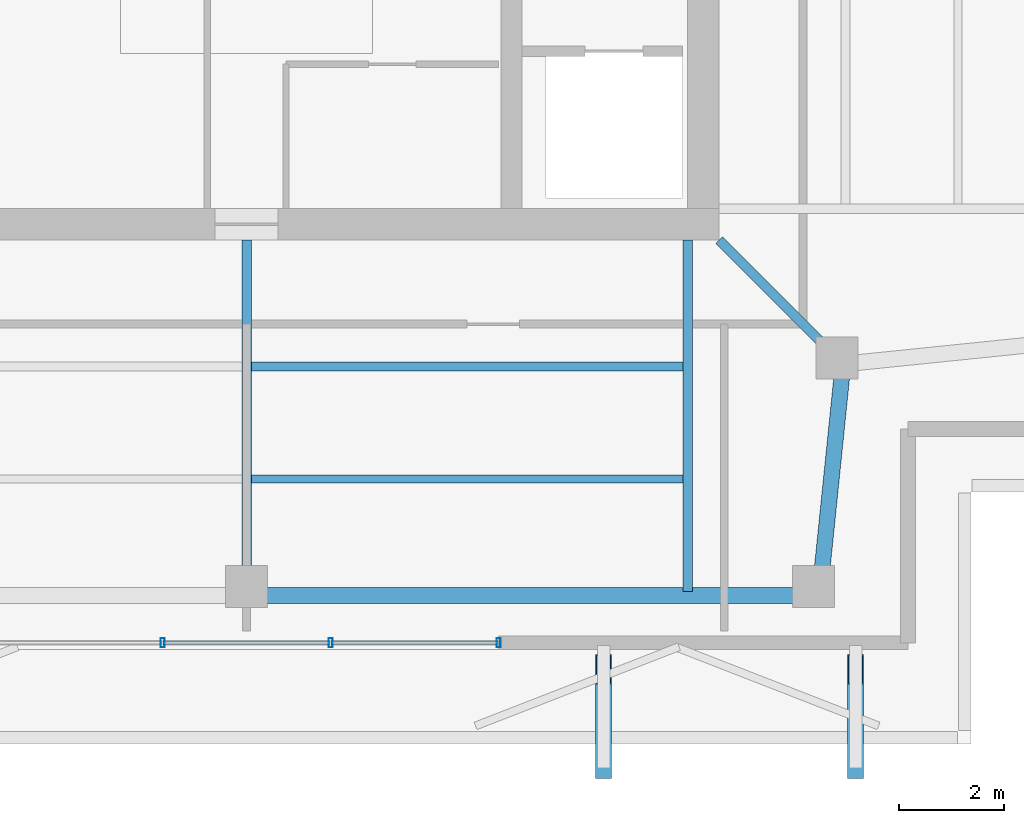
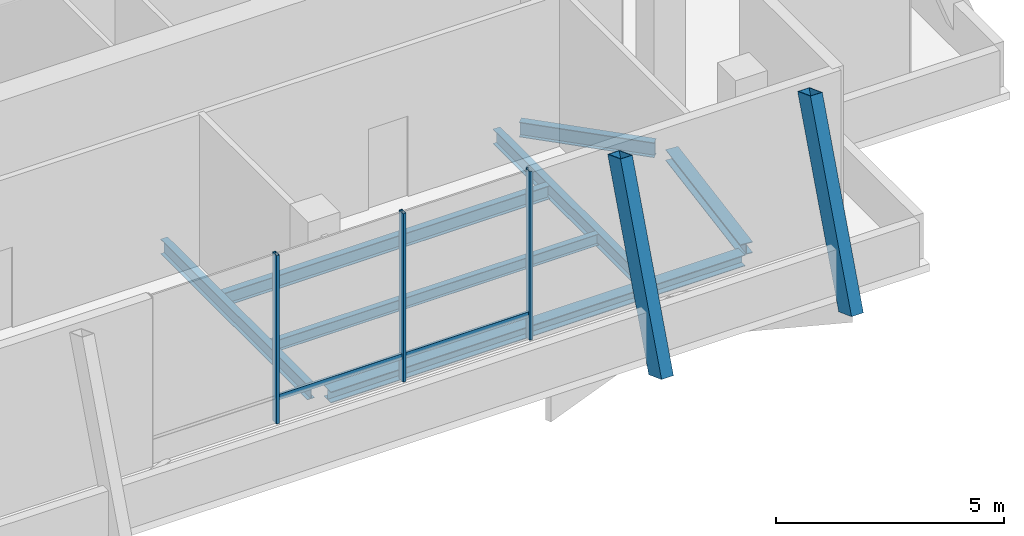
# One storey, part 4 of 15: 7 beams, 7 members, 1 element without a shape of its own.
"""IFC4 building model written with IfcOpenShell, lengths in metres."""

import ifcopenshell
import ifcopenshell.guid

model = None  # the IFC model being written
_history = None  # IfcOwnerHistory: only IFC2X3 demands one
_inside = {}  # id of a spatial element -> (the spatial element, [elements in it])
_under = {}  # id of a project, library or spatial element -> (it, [spatial elements below it])
_declared = {}  # id of a project -> (the project, [libraries it declares])
_typed = {}  # id of a type object -> (the type object, [elements of that type])
_made_of = {}  # id of a material, layer set ... -> (it, [elements and type objects made of it])


def new_model(schema):
    """Start an empty IFC model of exactly this schema.

    Asked for "IFC4X3", IfcOpenShell would pick the latest addendum, in which some entities
    have other attributes; the version numbers below select the first issue.
    IFC2X3 requires an IfcOwnerHistory on every rooted entity: one is made here for all.
    """
    global model, _history
    if schema == "IFC4X3":
        model = ifcopenshell.file(schema_version=(4, 3, 0, 0))
    else:
        model = ifcopenshell.file(schema=schema)
    _inside.clear()
    _under.clear()
    _declared.clear()
    _typed.clear()
    _made_of.clear()
    _history = None
    if model.schema == "IFC2X3":
        org = make("IfcOrganization", Name="unknown")
        user = make(
            "IfcPersonAndOrganization",
            ThePerson=make("IfcPerson", FamilyName="unknown"),
            TheOrganization=org,
        )
        app = make(
            "IfcApplication",
            ApplicationDeveloper=org,
            Version="unknown",
            ApplicationFullName="unknown",
            ApplicationIdentifier="unknown",
        )
        _history = make(
            "IfcOwnerHistory",
            OwningUser=user,
            OwningApplication=app,
            ChangeAction="ADDED",
            CreationDate=0,
        )
    return model


def make(cls, **values):
    """One entity of the class cls with the attributes given. An attribute that is None is left unset."""
    return model.create_entity(
        cls, **{name: value for name, value in values.items() if value is not None}
    )


def rooted(cls, **values):
    """An entity with a GlobalId (a new one), such as an element, a storey or a relation."""
    return make(cls, GlobalId=ifcopenshell.guid.new(), OwnerHistory=_history, **values)


def si_unit(unit_type, name, prefix=None):
    """IfcSIUnit, for example si_unit("LENGTHUNIT", "METRE", prefix="MILLI")."""
    return make("IfcSIUnit", UnitType=unit_type, Prefix=prefix, Name=name)


def assignment(units):
    """IfcUnitAssignment: the units of a project."""
    return None if units is None else make("IfcUnitAssignment", Units=units)


def point(xyz):
    """IfcCartesianPoint."""
    return None if xyz is None else make("IfcCartesianPoint", Coordinates=xyz)


def direction(xyz):
    """IfcDirection."""
    return None if xyz is None else make("IfcDirection", DirectionRatios=xyz)


def frame(location, z_axis=None, x_axis=None):
    """IfcAxis2Placement3D, a coordinate frame: its origin and axes. An axis left out is left unset."""
    return make(
        "IfcAxis2Placement3D",
        Location=point(location),
        Axis=direction(z_axis),
        RefDirection=direction(x_axis),
    )


def frame_2d(location, x_axis=None):
    """IfcAxis2Placement2D, a coordinate frame in the plane: its origin and x axis."""
    return make(
        "IfcAxis2Placement2D", Location=point(location), RefDirection=direction(x_axis)
    )


def origin():
    """The frame at (0, 0, 0) with its axes left unset."""
    return frame((0.0, 0.0, 0.0))


def origin_2d():
    """The frame at (0, 0) in the plane with its x axis left unset."""
    return frame_2d((0.0, 0.0))


def place(relative_to, where):
    """IfcLocalPlacement: puts the frame where relative to a parent placement (None: the world)."""
    return make(
        "IfcLocalPlacement", PlacementRelTo=relative_to, RelativePlacement=where
    )


def context(
    kind, dimensions, precision=None, world=None, true_north=None, identifier=None
):
    """IfcGeometricRepresentationContext, for example the 3D "Model" context."""
    return make(
        "IfcGeometricRepresentationContext",
        ContextIdentifier=identifier,
        ContextType=kind,
        CoordinateSpaceDimension=dimensions,
        Precision=precision,
        WorldCoordinateSystem=world,
        TrueNorth=true_north,
    )


def subcontext(parent, identifier, kind, view, scale=None):
    """IfcGeometricRepresentationSubContext, for example "Body" below "Model"."""
    return make(
        "IfcGeometricRepresentationSubContext",
        ContextIdentifier=identifier,
        ContextType=kind,
        ParentContext=parent,
        TargetScale=scale,
        TargetView=view,
    )


def project(units=None, contexts=None):
    """IfcProject with its units and contexts."""
    return rooted(
        "IfcProject",
        Name="project",
        RepresentationContexts=contexts,
        UnitsInContext=assignment(units),
    )


def spatial(cls, under=None, at=None, **own):
    """A site, building, storey or space (cls), placed at a placement, below another one or the project."""
    s = rooted(cls, ObjectPlacement=at, **own)
    if under is not None:
        _under.setdefault(under.id(), (under, []))[1].append(s)
    return s


def profile(cls, at=None, kind="AREA", **sizes):
    """A parametric profile (cls). Its sizes go by their IFC names, for example OverallWidth=200.0."""
    return make(cls, ProfileType=kind, Position=at, **sizes)


def hollow_rectangle(**sizes):
    """IfcRectangleHollowProfileDef."""
    return profile("IfcRectangleHollowProfileDef", **sizes)


def i_section(**sizes):
    """IfcIShapeProfileDef."""
    return profile("IfcIShapeProfileDef", **sizes)


def extrude(swept, where, along, depth):
    """IfcExtrudedAreaSolid: the profile swept, set in the frame where, extruded along a direction by depth."""
    return make(
        "IfcExtrudedAreaSolid",
        SweptArea=swept,
        Position=where,
        ExtrudedDirection=direction(along),
        Depth=depth,
    )


def shape(context_of_items, identifier, shape_type, items):
    """IfcShapeRepresentation: the items that make up one representation, for example the "Body"."""
    return make(
        "IfcShapeRepresentation",
        ContextOfItems=context_of_items,
        RepresentationIdentifier=identifier,
        RepresentationType=shape_type,
        Items=items,
    )


def material(Name=None, Category=None):
    """IfcMaterial."""
    return make("IfcMaterial", Name=Name, Category=Category)


def layer(
    of_material, thickness, ventilated=None, Name=None, Category=None, Priority=None
):
    """IfcMaterialLayer: one layer of a wall or slab, of a material (None: an air gap)."""
    return make(
        "IfcMaterialLayer",
        Material=of_material,
        LayerThickness=thickness,
        IsVentilated=ventilated,
        Name=Name,
        Category=Category,
        Priority=Priority,
    )


def layer_set(layers, Name=None):
    """IfcMaterialLayerSet."""
    return make("IfcMaterialLayerSet", MaterialLayers=layers, LayerSetName=Name)


def material_profile(
    of_material, cross_section, Name=None, Category=None, Priority=None
):
    """IfcMaterialProfile: a cross section and its material."""
    return make(
        "IfcMaterialProfile",
        Name=Name,
        Material=of_material,
        Profile=cross_section,
        Priority=Priority,
        Category=Category,
    )


def profile_set(profiles, Name=None, composite=None):
    """IfcMaterialProfileSet."""
    return make(
        "IfcMaterialProfileSet",
        Name=Name,
        MaterialProfiles=profiles,
        CompositeProfile=composite,
    )


def made_of(thing, what):
    """Note that an element or type object is made of a material, layer set ...; save() writes the relation."""
    if what is not None:
        _made_of.setdefault(what.id(), (what, []))[1].append(thing)
    return thing


def type_object(cls, material=None, **own):
    """A type object (cls), such as IfcWallType, which elements share."""
    return made_of(rooted(cls, **own), material)


def element(
    cls,
    number,
    at=None,
    inside=None,
    cuts=None,
    type_object=None,
    material=None,
    context=None,
    identifier="Body",
    shape_type=None,
    held_by="IfcProductDefinitionShape",
    body=None,
    shapes=None,
    **own,
):
    """One element of the class cls, such as IfcWall. Its Tag is "e" and its number.

    at: its placement. inside: the storey or other place that contains it. cuts: it is an
    opening in that element (IfcRelVoidsElement). A single representation is given by context,
    identifier, shape_type and body (its items); several are given by shapes. held_by: the class
    of the entity that holds the representations. save() writes the other relations.
    """
    e = rooted(cls, Tag="e%d" % number, ObjectPlacement=at, **own)
    if body is not None:
        shapes = [shape(context, identifier, shape_type, body)]
    if shapes is not None:
        e.Representation = make(held_by, Representations=shapes)
    if inside is not None:
        _inside.setdefault(inside.id(), (inside, []))[1].append(e)
    if cuts is not None:
        rooted(
            "IfcRelVoidsElement", RelatingBuildingElement=cuts, RelatedOpeningElement=e
        )
    if type_object is not None:
        _typed.setdefault(type_object.id(), (type_object, []))[1].append(e)
    return made_of(e, material)


def aggregate(whole, parts):
    """IfcRelAggregates: a whole, such as a stair, and the parts it consists of."""
    return rooted("IfcRelAggregates", RelatingObject=whole, RelatedObjects=parts)


def save(model, path):
    """Write the relations noted so far, then the file.

    IfcRelAggregates (storeys below a building ...), IfcRelContainedInSpatialStructure (elements
    in a storey), IfcRelDefinesByType, IfcRelAssociatesMaterial and IfcRelDeclares: one each for
    every whole, place, type object, material and project.
    """
    for whole, parts in _under.values():
        aggregate(whole, parts)
    for where, things in _inside.values():
        rooted(
            "IfcRelContainedInSpatialStructure",
            RelatedElements=things,
            RelatingStructure=where,
        )
    for kind, things in _typed.values():
        rooted("IfcRelDefinesByType", RelatedObjects=things, RelatingType=kind)
    for what, things in _made_of.values():
        rooted("IfcRelAssociatesMaterial", RelatedObjects=things, RelatingMaterial=what)
    for by, libraries in _declared.values():
        rooted("IfcRelDeclares", RelatingContext=by, RelatedDefinitions=libraries)
    model.write(path)


model = new_model("IFC4")

# Units and contexts
model_context = context("Model", 3, precision=1e-05, world=origin(), true_north=direction((0.0, 1.0)))
body_context = subcontext(model_context, "Body", "Model", "MODEL_VIEW")
ifc_project = project(units=[si_unit("LENGTHUNIT", "METRE"), si_unit("AREAUNIT", "SQUARE_METRE"), si_unit("VOLUMEUNIT", "CUBIC_METRE"), si_unit("PLANEANGLEUNIT", "RADIAN"), si_unit("MASSUNIT", "GRAM", prefix="KILO")], contexts=[model_context])

# Site, building, storey
site_placement = place(None, origin())
site = spatial("IfcSite", under=ifc_project, at=site_placement, CompositionType="ELEMENT")
building_placement = place(site_placement, origin())
building = spatial("IfcBuilding", under=site, at=building_placement, Name="Belovzor Exchange Tower", CompositionType="ELEMENT")
storey_placement = place(building_placement, frame((0.0, 0.0, 373.800048828125)))
storey = spatial("IfcBuildingStorey", under=building, at=storey_placement, Name="L93", CompositionType="ELEMENT", Elevation=373.800048828125)

# Beams
ifc_material_1 = material(Name="Steel S355", Category="steel")
ifc_material_profile_1 = material_profile(ifc_material_1, i_section(OverallWidth=0.300048828125, OverallDepth=0.300048828125, WebThickness=0.010986328125, FlangeThickness=0.01904296875, at=origin_2d()))
ifc_profile_set_1 = profile_set([ifc_material_profile_1], Name="Steel S355")
beam_type_1 = type_object("IfcBeamType", Name="Crown Plant Primary Beam HEB 300", PredefinedType="BEAM", material=ifc_profile_set_1)
beam_1_placement = place(storey_placement, frame((29.02001953125, 13.031005859375, -0.449951171875), z_axis=(1.0, 0.0, 0.0), x_axis=(0.0, 1.0, 0.0)))
element("IfcBeam", 1, at=beam_1_placement, inside=storey, type_object=beam_type_1, Name="FG-CR Crown Plant Primary Beam HEB 300", PredefinedType="BEAM", context=body_context, shape_type="SweptSolid", body=[
    extrude(i_section(OverallWidth=0.300048828125, OverallDepth=0.300048828125, WebThickness=0.010986328125, FlangeThickness=0.01904296875, at=origin_2d()), origin(), (0.0, 0.0, 1.0), 10.471923828125),
])
beam_2_placement = place(storey_placement, frame((39.73388671875, 13.25, -0.449951171875), z_axis=(0.101763348742, 0.994808635293, 0.0), x_axis=(-0.994808635293, 0.101763348742, 0.0)))
element("IfcBeam", 2, at=beam_2_placement, inside=storey, type_object=beam_type_1, Name="FG-CR Crown Plant Primary Beam HEB 300", PredefinedType="BEAM", context=body_context, shape_type="SweptSolid", body=[
    extrude(i_section(OverallWidth=0.300048828125, OverallDepth=0.300048828125, WebThickness=0.010986328125, FlangeThickness=0.01904296875, at=origin_2d()), origin(), (0.0, 0.0, 1.0), 3.98974609375),
])
ifc_material_2 = material(Name="Steel S355", Category="steel")
ifc_material_profile_2 = material_profile(ifc_material_2, i_section(OverallWidth=0.169921875, OverallDepth=0.360107421875, WebThickness=0.008056640625, FlangeThickness=0.0126953125, at=origin_2d()))
ifc_profile_set_2 = profile_set([ifc_material_profile_2], Name="Steel S355")
beam_type_2 = type_object("IfcBeamType", Name="Secondary Infill Floor Joist IPE 360", PredefinedType="BEAM", material=ifc_profile_set_2)
beam_3_placement = place(storey_placement, frame((28.889892578125, 17.389892578125, -0.47998046875), z_axis=(1.0, 0.0, 0.0), x_axis=(0.0, 1.0, 0.0)))
element("IfcBeam", 3, at=beam_3_placement, inside=storey, type_object=beam_type_2, Name="FJ-360 Secondary Infill Floor Joist IPE 360", PredefinedType="BEAM", context=body_context, shape_type="SweptSolid", body=[
    extrude(i_section(OverallWidth=0.169921875, OverallDepth=0.360107421875, WebThickness=0.008056640625, FlangeThickness=0.0126953125, at=origin_2d()), origin(), (0.0, 0.0, 1.0), 8.22021484375),
])
ifc_material_3 = material(Name="Steel S355", Category="steel")
ifc_material_profile_3 = material_profile(ifc_material_3, i_section(OverallWidth=0.14990234375, OverallDepth=0.300048828125, WebThickness=0.007080078125, FlangeThickness=0.0107421875, at=origin_2d()))
ifc_profile_set_3 = profile_set([ifc_material_profile_3], Name="Steel S355")
beam_type_3 = type_object("IfcBeamType", Name="Secondary Trim Floor Joist IPE 300", PredefinedType="BEAM", material=ifc_profile_set_3)
beam_4_placement = place(storey_placement, frame((28.889892578125, 15.248046875, -0.449951171875), z_axis=(1.0, 0.0, 0.0), x_axis=(0.0, 1.0, 0.0)))
element("IfcBeam", 4, at=beam_4_placement, inside=storey, type_object=beam_type_3, Name="FJ-300 Secondary Trim Floor Joist IPE 300", PredefinedType="BEAM", context=body_context, shape_type="SweptSolid", body=[
    extrude(i_section(OverallWidth=0.14990234375, OverallDepth=0.300048828125, WebThickness=0.007080078125, FlangeThickness=0.0107421875, at=origin_2d()), origin(), (0.0, 0.0, 1.0), 8.22021484375),
])

# Curtain wall, members
ifc_material_4 = material(Name="Anodised Aluminium Framing", Category="aluminium")
ifc_layer = layer(ifc_material_4, 0.169921875)
ifc_layer_set = layer_set([ifc_layer], Name="Anodised Aluminium Framing")
curtain_wall_type = type_object("IfcCurtainWallType", Name="Stepped Crown Faceted Lantern Curtain Wall", PredefinedType="NOTDEFINED", material=ifc_layer_set)
curtain_wall_placement = place(storey_placement, origin())
curtain_wall = element("IfcCurtainWall", 5, at=curtain_wall_placement, inside=storey, type_object=curtain_wall_type, Name="CW6 Stepped Crown Faceted Lantern Curtain Wall L93", PredefinedType="NOTDEFINED")
ifc_material_5 = material(Name="Steel S355", Category="steel")
ifc_material_profile_4 = material_profile(ifc_material_5, hollow_rectangle(XDim=0.074951171875, YDim=0.179931640625, WallThickness=0.0048828125, at=origin_2d()))
ifc_profile_set_4 = profile_set([ifc_material_profile_4], Name="Steel S355")
member_type_1 = type_object("IfcMemberType", Name="Thermally Broken Curtain Wall Mullion 180x75", PredefinedType="MULLION", material=ifc_profile_set_4)
member_1_placement = place(storey_placement, frame((33.60009765625, 12.1298828125, 0.0), z_axis=(0.0, 0.0, 1.0), x_axis=(-1.0, 0.0, 0.0)))
member_1 = element("IfcMember", 6, at=member_1_placement, type_object=member_type_1, Name="CW-M180 Curtain Wall Mullion 1", PredefinedType="MULLION", context=body_context, shape_type="SweptSolid", body=[
    extrude(hollow_rectangle(XDim=0.074951171875, YDim=0.179931640625, WallThickness=0.0048828125, at=origin_2d()), origin(), (0.0, 0.0, 1.0), 4.5),
])
member_2_placement = place(storey_placement, frame((30.39990234375, 12.1298828125, 0.0), z_axis=(0.0, 0.0, 1.0), x_axis=(-1.0, 0.0, 0.0)))
member_2 = element("IfcMember", 7, at=member_2_placement, type_object=member_type_1, Name="CW-M180 Curtain Wall Mullion 2", PredefinedType="MULLION", context=body_context, shape_type="SweptSolid", body=[
    extrude(hollow_rectangle(XDim=0.074951171875, YDim=0.179931640625, WallThickness=0.0048828125, at=origin_2d()), origin(), (0.0, 0.0, 1.0), 4.5),
])
member_3_placement = place(storey_placement, frame((27.199951171875, 12.1298828125, 0.0), z_axis=(0.0, 0.0, 1.0), x_axis=(-1.0, 0.0, 0.0)))
member_3 = element("IfcMember", 8, at=member_3_placement, type_object=member_type_1, Name="CW-M180 Curtain Wall Mullion 3", PredefinedType="MULLION", context=body_context, shape_type="SweptSolid", body=[
    extrude(hollow_rectangle(XDim=0.074951171875, YDim=0.179931640625, WallThickness=0.0048828125, at=origin_2d()), origin(), (0.0, 0.0, 1.0), 4.5),
])
ifc_material_6 = material(Name="Steel S355", Category="steel")
ifc_material_profile_5 = material_profile(ifc_material_6, hollow_rectangle(XDim=0.06005859375, YDim=0.14990234375, WallThickness=0.00390625, at=origin_2d()))
ifc_profile_set_5 = profile_set([ifc_material_profile_5], Name="Steel S355")
member_type_2 = type_object("IfcMemberType", Name="Thermally Broken Curtain Wall Transom 150x60", PredefinedType="USERDEFINED", material=ifc_profile_set_5)
member_4_placement = place(storey_placement, frame((33.592041015625, 12.1298828125, 0.64990234375), z_axis=(-1.0, 0.0, 0.0), x_axis=(0.0, -1.0, 0.0)))
member_4 = element("IfcMember", 9, at=member_4_placement, type_object=member_type_2, Name="CW-T150 Curtain Wall Transom 1", ObjectType="TRANSOM", PredefinedType="USERDEFINED", context=body_context, shape_type="SweptSolid", body=[
    extrude(hollow_rectangle(XDim=0.06005859375, YDim=0.14990234375, WallThickness=0.00390625, at=origin_2d()), origin(), (0.0, 0.0, 1.0), 3.18408203125),
])
member_5_placement = place(storey_placement, frame((30.39208984375, 12.1298828125, 0.64990234375), z_axis=(-1.0, 0.0, 0.0), x_axis=(0.0, -1.0, 0.0)))
member_5 = element("IfcMember", 10, at=member_5_placement, type_object=member_type_2, Name="CW-T150 Curtain Wall Transom 2", ObjectType="TRANSOM", PredefinedType="USERDEFINED", context=body_context, shape_type="SweptSolid", body=[
    extrude(hollow_rectangle(XDim=0.06005859375, YDim=0.14990234375, WallThickness=0.00390625, at=origin_2d()), origin(), (0.0, 0.0, 1.0), 3.18408203125),
])
aggregate(curtain_wall, [member_1, member_2, member_3, member_4, member_5])

# Members
ifc_material_7 = material(Name="Extruded Architectural Terracotta on Steel S355 Carrier", Category="masonry")
ifc_material_profile_6 = material_profile(ifc_material_7, hollow_rectangle(XDim=0.300048828125, YDim=0.60009765625, WallThickness=0.01611328125, at=origin_2d()))
ifc_profile_set_6 = profile_set([ifc_material_profile_6], Name="Extruded Architectural Terracotta on Steel S355 Carrier")
member_type_3 = type_object("IfcMemberType", Name="Upper Crown Terracotta Fin Assembly 550", PredefinedType="USERDEFINED", material=ifc_profile_set_6)
for number, where, z_axis, x_axis, name in (
    (11, (35.60009765625, 9.824951171875, -0.300048828125), (0.0, 0.351128660605, 0.936327220421), (-1.0, 0.0, 0.0), "FIN-TC055 Terracotta Facade Fin L93 S3"),
    (12, (40.39990234375, 9.824951171875, -0.300048828125), (0.0, 0.351128660605, 0.936327220421), (-1.0, 0.0, 0.0), "FIN-TC055 Terracotta Facade Fin L93 S4"),
):
    element("IfcMember", number, at=place(storey_placement, frame(where, z_axis=z_axis, x_axis=x_axis)), inside=storey, type_object=member_type_3, Name=name, ObjectType="FIN", PredefinedType="USERDEFINED", context=body_context, shape_type="SweptSolid", body=[
        extrude(hollow_rectangle(XDim=0.300048828125, YDim=0.60009765625, WallThickness=0.01611328125, at=origin_2d()), origin(), (0.0, 0.0, 1.0), 5.12646484375),
    ])

# Beams
ifc_material_8 = material(Name="Steel S355", Category="steel")
ifc_material_profile_7 = material_profile(ifc_material_8, i_section(OverallWidth=0.179931640625, OverallDepth=0.39990234375, WebThickness=0.008544921875, FlangeThickness=0.013427734375, at=origin_2d()))
ifc_profile_set_7 = profile_set([ifc_material_profile_7], Name="Steel S355")
beam_type_4 = type_object("IfcBeamType", Name="Zone 5-6 Radial Composite Floor Beam IPE 400", PredefinedType="BEAM", material=ifc_profile_set_7)
beam_5_placement = place(storey_placement, frame((28.800048828125, 19.800048828125, -0.5), z_axis=(0.0, -1.0, 0.0), x_axis=(1.0, 0.0, 0.0)))
element("IfcBeam", 13, at=beam_5_placement, inside=storey, type_object=beam_type_4, Name="FB-400 Zone 5-6 Radial Composite Floor Beam IPE 400", PredefinedType="BEAM", context=body_context, shape_type="SweptSolid", body=[
    extrude(i_section(OverallWidth=0.179931640625, OverallDepth=0.39990234375, WebThickness=0.008544921875, FlangeThickness=0.013427734375, at=origin_2d()), origin(), (0.0, 0.0, 1.0), 6.43505859375),
])
beam_6_placement = place(storey_placement, frame((37.199951171875, 19.800048828125, -0.5), z_axis=(0.0, -1.0, 0.0), x_axis=(1.0, 0.0, 0.0)))
element("IfcBeam", 14, at=beam_6_placement, inside=storey, type_object=beam_type_4, Name="FB-400 Zone 5-6 Radial Composite Floor Beam IPE 400", PredefinedType="BEAM", context=body_context, shape_type="SweptSolid", body=[
    extrude(i_section(OverallWidth=0.179931640625, OverallDepth=0.39990234375, WebThickness=0.008544921875, FlangeThickness=0.013427734375, at=origin_2d()), origin(), (0.0, 0.0, 1.0), 6.694091796875),
])
beam_7_placement = place(storey_placement, frame((37.800048828125, 19.800048828125, -0.5), z_axis=(0.707066855336, -0.707146704783, 0.0), x_axis=(0.707146704783, 0.707066855336, 0.0)))
element("IfcBeam", 15, at=beam_7_placement, inside=storey, type_object=beam_type_4, Name="FB-400 Zone 5-6 Radial Composite Floor Beam IPE 400", PredefinedType="BEAM", context=body_context, shape_type="SweptSolid", body=[
    extrude(i_section(OverallWidth=0.179931640625, OverallDepth=0.39990234375, WebThickness=0.008544921875, FlangeThickness=0.013427734375, at=origin_2d()), origin(), (0.0, 0.0, 1.0), 3.0576171875),
])

save(model, "model.ifc")
